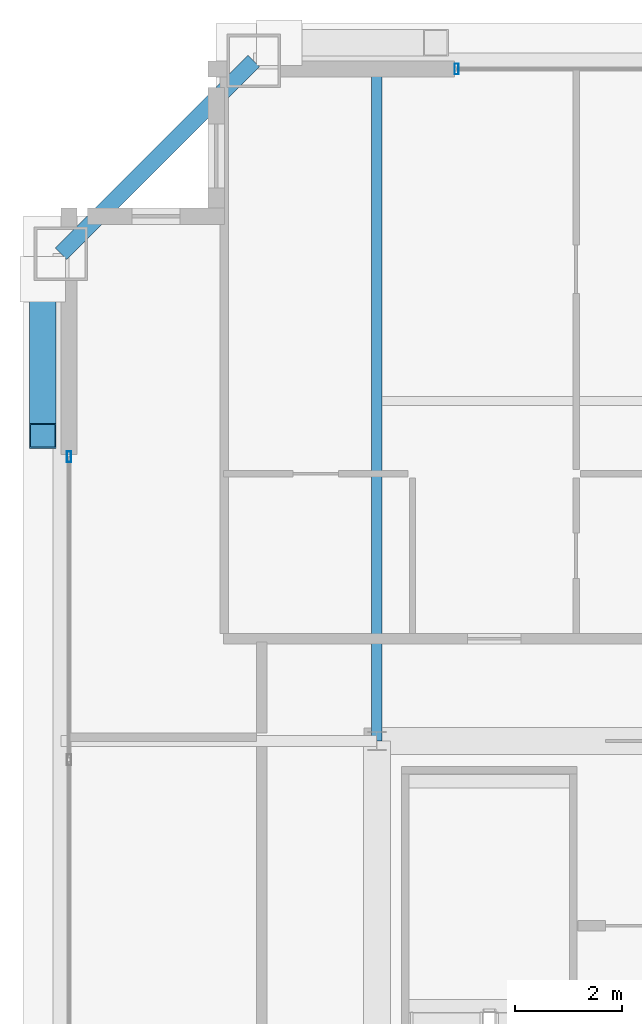
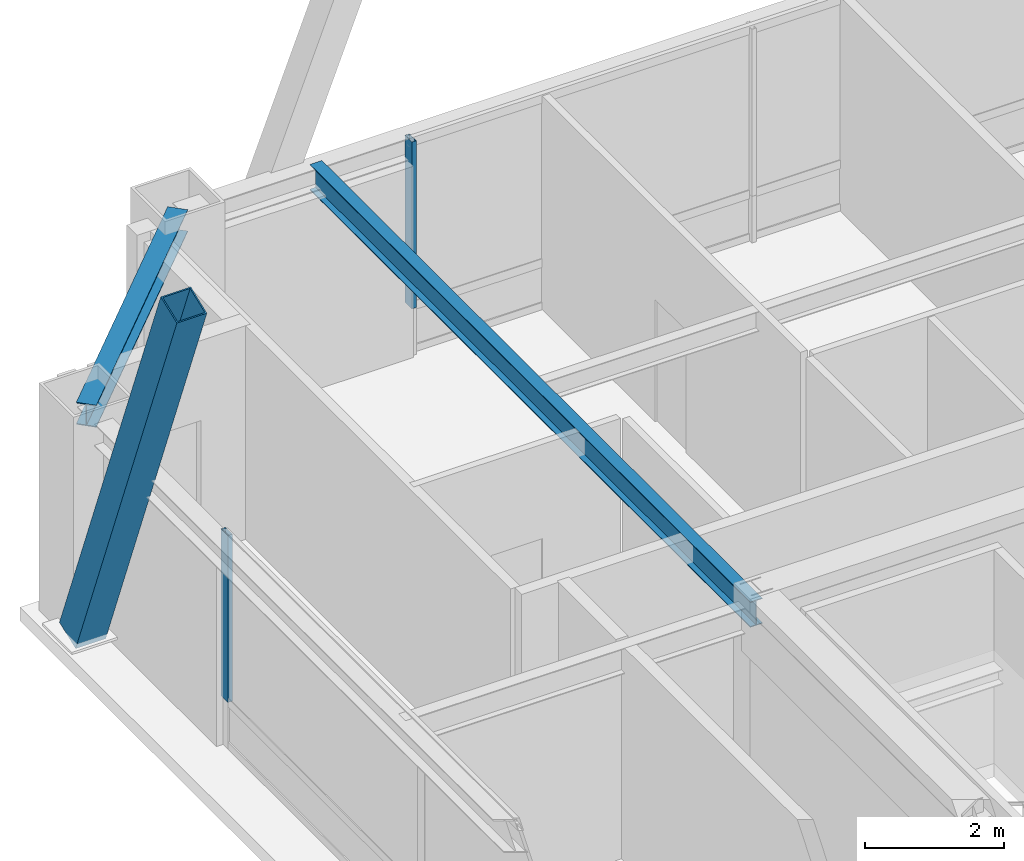
# One storey, part 15 of 35: 3 members, 2 beams, 2 elements without a shape of their own.
"""IFC4 building model written with IfcOpenShell, lengths in metres."""

from ifc_helpers import new_model, si_unit, direction, frame, origin, origin_2d, place, context, subcontext, project, spatial, hollow_rectangle, i_section, extrude, source, transform, mapped, material, layer, layer_set, material_profile, profile_set, type_object, element, aggregate, save


model = new_model("IFC4")

# Units and contexts
model_context = context("Model", 3, precision=1e-05, world=origin(), true_north=direction((0.0, 1.0)))
body_context = subcontext(model_context, "Body", "Model", "MODEL_VIEW")
ifc_project = project(units=[si_unit("LENGTHUNIT", "METRE"), si_unit("AREAUNIT", "SQUARE_METRE"), si_unit("VOLUMEUNIT", "CUBIC_METRE"), si_unit("PLANEANGLEUNIT", "RADIAN"), si_unit("MASSUNIT", "GRAM", prefix="KILO"), si_unit("THERMODYNAMICTEMPERATUREUNIT", "KELVIN"), si_unit("POWERUNIT", "WATT")], contexts=[model_context])

# Site, building, storey
site_placement = place(None, origin())
site = spatial("IfcSite", under=ifc_project, at=site_placement, CompositionType="ELEMENT")
building_placement = place(site_placement, origin())
building = spatial("IfcBuilding", under=site, at=building_placement, Name="Yuzanri Waterfront Tower", CompositionType="ELEMENT")
storey_placement = place(building_placement, frame((0.0, 0.0, 343.199951171875)))
storey = spatial("IfcBuildingStorey", under=building, at=storey_placement, Name="L92", CompositionType="ELEMENT", Elevation=343.199951171875)

# Beams
ifc_material_1 = material(Name="Steel Q355B", Category="steel")
ifc_material_profile_1 = material_profile(ifc_material_1, i_section(OverallWidth=0.300048828125, OverallDepth=0.389892578125, WebThickness=0.010009765625, FlangeThickness=0.01611328125, at=origin_2d()), Name="HM 390x300x10x16")
ifc_profile_set_1 = profile_set([ifc_material_profile_1], Name="Steel Q355B")
beam_type_1 = type_object("IfcBeamType", Name="Perimeter Spandrel Q355B HM 390x300", PredefinedType="SPANDREL", material=ifc_profile_set_1)
shared_shape_1 = source(origin(), body_context, "Body", "SweptSolid", [
    extrude(i_section(OverallWidth=0.300048828125, OverallDepth=0.389892578125, WebThickness=0.010009765625, FlangeThickness=0.01611328125, at=origin_2d()), origin(), (0.0, 0.0, 1.0), 5.091064453125),
])
beam_1_placement = place(storey_placement, frame((21.5, 44.89990234375, 3.56494140625), z_axis=(-0.707130757816, -0.707082803744, 0.0), x_axis=(0.707082803744, -0.707130757816, 0.0)))
element("IfcBeam", 1, at=beam_1_placement, inside=storey, type_object=beam_type_1, Name="L92 Perimeter Spandrel N1-W3", PredefinedType="SPANDREL", context=body_context, shape_type="MappedRepresentation", body=[
    mapped(shared_shape_1, transform((0.0, 0.0, 0.0), scale=1.0)),
])
ifc_material_2 = material(Name="Steel Q355B", Category="steel")
ifc_material_profile_2 = material_profile(ifc_material_2, i_section(OverallWidth=0.199951171875, OverallDepth=0.449951171875, WebThickness=0.009033203125, FlangeThickness=0.013916015625, at=origin_2d()), Name="HN 450x200x9x14")
ifc_profile_set_2 = profile_set([ifc_material_profile_2], Name="Steel Q355B")
beam_type_2 = type_object("IfcBeamType", Name="Secondary Floor Beam Q355B HN 450x200", PredefinedType="BEAM", material=ifc_profile_set_2)
shared_shape_2 = source(origin(), body_context, "Body", "SweptSolid", [
    extrude(i_section(OverallWidth=0.199951171875, OverallDepth=0.449951171875, WebThickness=0.009033203125, FlangeThickness=0.013916015625, at=origin_2d()), origin(), (0.0, 0.0, 1.0), 12.699951171875),
])
beam_2_placement = place(storey_placement, frame((23.800048828125, 32.199951171875, 3.53515625), z_axis=(0.0, 1.0, 0.0), x_axis=(-1.0, 0.0, 0.0)))
element("IfcBeam", 2, at=beam_2_placement, inside=storey, type_object=beam_type_2, Name="L92 North-West Core Line Beam", PredefinedType="BEAM", context=body_context, shape_type="MappedRepresentation", body=[
    mapped(shared_shape_2, transform((0.0, 0.0, 0.0), scale=1.0)),
])

# Member
ifc_material_3 = material(Name="Steel Q390GJC", Category="steel")
ifc_material_profile_3 = material_profile(ifc_material_3, hollow_rectangle(XDim=0.5, YDim=0.5, WallThickness=0.02197265625, at=origin_2d()), Name="RHS 500x500x22")
ifc_profile_set_3 = profile_set([ifc_material_profile_3], Name="Steel Q390GJC")
member_type_1 = type_object("IfcMemberType", Name="Mega Brace Upper Q390GJC RHS 500x500x22", PredefinedType="BRACE", material=ifc_profile_set_3)
shared_shape_3 = source(origin(), body_context, "Body", "SweptSolid", [
    extrude(hollow_rectangle(XDim=0.5, YDim=0.5, WallThickness=0.02197265625, at=origin_2d()), origin(), (0.0, 0.0, 1.0), 8.04833984375),
])
member_1_placement = place(storey_placement, frame((17.56005859375, 40.820068359375, 0.179931640625), z_axis=(0.0, -0.362823900779, 0.931857723595), x_axis=(1.0, 0.0, 0.0)))
element("IfcMember", 3, at=member_1_placement, inside=storey, type_object=member_type_1, Name="L92-L93 Perimeter Mega-Brace W-R", PredefinedType="BRACE", context=body_context, shape_type="MappedRepresentation", body=[
    mapped(shared_shape_3, transform((0.0, 0.0, 0.0), scale=1.0)),
])

# Curtain wall, member
ifc_material_4 = material(Name="Anodized Architectural Bronze", Category="metal")
ifc_layer = layer(ifc_material_4, 0.159912109375)
ifc_layer_set = layer_set([ifc_layer], Name="Anodized Architectural Bronze")
curtain_wall_type = type_object("IfcCurtainWallType", Name="Anodized Bronze High-Rise Penthouse High-Wind Unitized Curtain Wall 6900", PredefinedType="NOTDEFINED", material=ifc_layer_set)
curtain_wall_1_placement = place(storey_placement, origin())
curtain_wall_1 = element("IfcCurtainWall", 4, at=curtain_wall_1_placement, inside=storey, type_object=curtain_wall_type, Name="L92 Curtain Wall CW-L92-NL", PredefinedType="NOTDEFINED")
ifc_material_5 = material(Name="Anodized Architectural Bronze", Category="metal")
ifc_material_profile_4 = material_profile(ifc_material_5, hollow_rectangle(XDim=0.074951171875, YDim=0.199951171875, WallThickness=0.00390625, at=origin_2d()), Name="CWM 75x200")
ifc_profile_set_4 = profile_set([ifc_material_profile_4], Name="Anodized Architectural Bronze")
member_type_2 = type_object("IfcMemberType", Name="Anodized Bronze Primary Curtain-Wall Mullion 75x200", PredefinedType="MULLION", material=ifc_profile_set_4)
shared_shape_4 = source(origin(), body_context, "Body", "SweptSolid", [
    extrude(hollow_rectangle(XDim=0.074951171875, YDim=0.199951171875, WallThickness=0.00390625, at=origin_2d()), origin(), (0.0, 0.0, 1.0), 2.93798828125),
])
member_2_placement = place(storey_placement, frame((25.2900390625, 44.75, 0.822021484375), z_axis=(0.0, 0.0, 1.0), x_axis=(1.0, 0.0, 0.0)))
member_2 = element("IfcMember", 5, at=member_2_placement, type_object=member_type_2, Name="CW-L92-NL Upper Mullion 00", PredefinedType="MULLION", context=body_context, shape_type="MappedRepresentation", body=[
    mapped(shared_shape_4, transform((0.0, 0.0, 0.0), scale=1.0)),
])
aggregate(curtain_wall_1, [member_2])

curtain_wall_2_placement = place(storey_placement, origin())
curtain_wall_2 = element("IfcCurtainWall", 6, at=curtain_wall_2_placement, inside=storey, type_object=curtain_wall_type, Name="L92 Curtain Wall CW-L92-WR", PredefinedType="NOTDEFINED")
member_3_placement = place(storey_placement, frame((18.050048828125, 37.510009765625, 0.822021484375), z_axis=(0.0, 0.0, 1.0), x_axis=(1.0, 0.0, 0.0)))
member_3 = element("IfcMember", 7, at=member_3_placement, type_object=member_type_2, Name="CW-L92-WR Upper Mullion 02", PredefinedType="MULLION", context=body_context, shape_type="MappedRepresentation", body=[
    mapped(shared_shape_4, transform((0.0, 0.0, 0.0), scale=1.0)),
])
aggregate(curtain_wall_2, [member_3])

save(model, "model.ifc")
